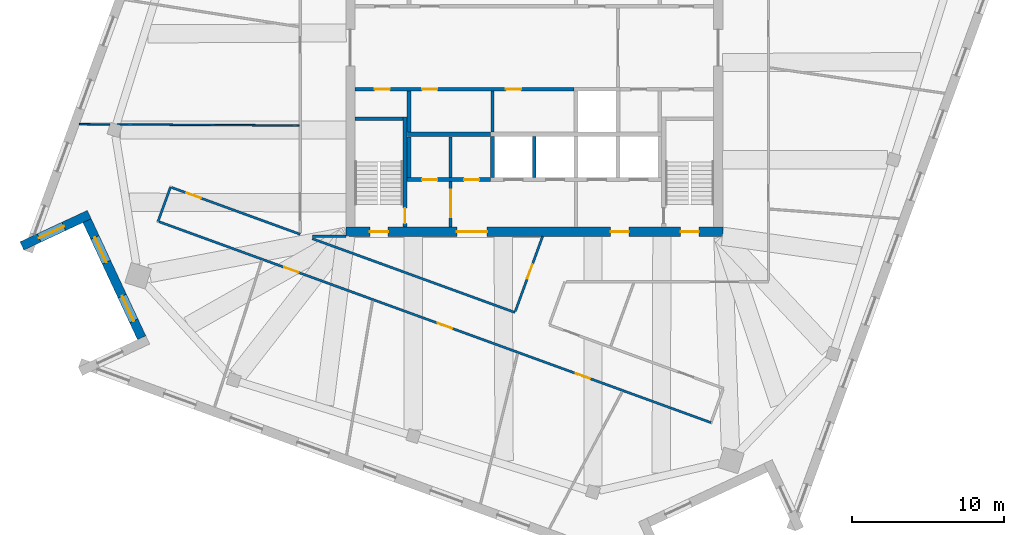
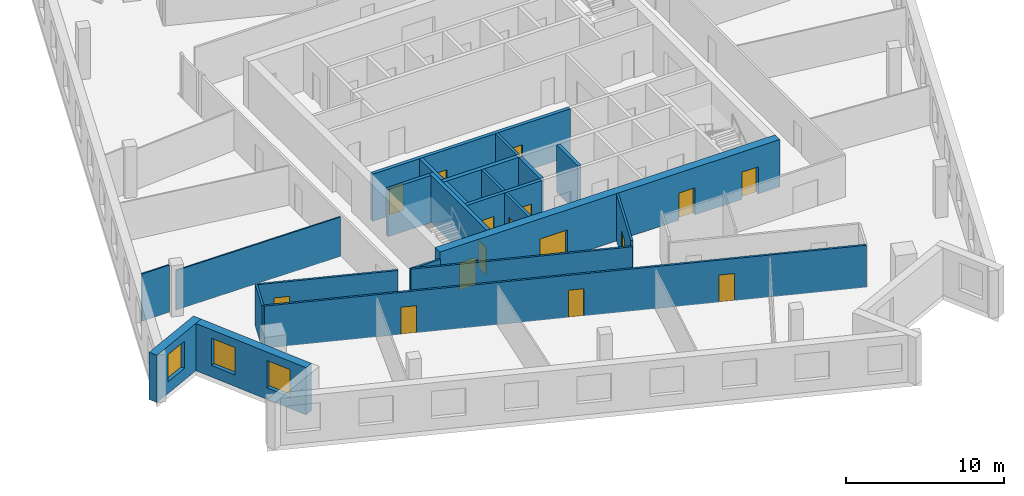
# One storey, part 6 of 13: 23 walls, 16 doors, 3 windows, 19 openings.
"""IFC4 building model written with IfcOpenShell, lengths in metres."""

from ifc_helpers import new_model, si_unit, direction, frame, frame_2d, origin, place, context, subcontext, project, spatial, rectangle, extrude, material, layer, layer_set, type_object, element, fill, save


model = new_model("IFC4")

# Units and contexts
model_context = context("Model", 3, precision=1e-05, world=origin(), true_north=direction((0.0, 1.0)))
body_context = subcontext(model_context, "Body", "Model", "MODEL_VIEW")
ifc_project = project(units=[si_unit("LENGTHUNIT", "METRE"), si_unit("AREAUNIT", "SQUARE_METRE"), si_unit("VOLUMEUNIT", "CUBIC_METRE"), si_unit("PLANEANGLEUNIT", "RADIAN"), si_unit("MASSUNIT", "GRAM", prefix="KILO")], contexts=[model_context])

# Site, building, storey
site_placement = place(None, origin())
site = spatial("IfcSite", under=ifc_project, at=site_placement, CompositionType="ELEMENT")
building_placement = place(site_placement, origin())
building = spatial("IfcBuilding", under=site, at=building_placement, Name="Dilmun Exchange Tower", CompositionType="ELEMENT")
storey_placement = place(building_placement, frame((0.0, 0.0, 312.5)))
storey = spatial("IfcBuildingStorey", under=building, at=storey_placement, Name="L74", CompositionType="ELEMENT", Elevation=312.5)

# Wall, opening, door
ifc_material_1 = material(Name="Concrete C40/50", Category="concrete")
ifc_layer_1 = layer(ifc_material_1, 0.199951171875)
ifc_layer_set_1 = layer_set([ifc_layer_1], Name="Concrete C40/50")
wall_type_1 = type_object("IfcWallType", Name="Core partition wall 200", PredefinedType="PARTITIONING", material=ifc_layer_set_1)
wall_1_placement = place(storey_placement, frame((-5.5, -11.794921875, 0.0), z_axis=(0.0, 0.0, 1.0), x_axis=(0.0, 1.0, 0.0)))
wall_1 = element("IfcWall", 1, at=wall_1_placement, inside=storey, type_object=wall_type_1, Name="L74 core partition wall 01", PredefinedType="PARTITIONING", context=body_context, shape_type="SweptSolid", body=[
    extrude(rectangle(XDim=2.989990234375, YDim=0.199951171875, at=frame_2d((1.4951171875, 0.0))), origin(), (0.0, 0.0, 1.0), 3.64990234375),
])
opening_1_placement = place(wall_1_placement, frame((0.657470703125, 0.0, 0.0)))
opening_1 = element("IfcOpeningElement", 2, at=opening_1_placement, cuts=wall_1, Name="Opening CD5", PredefinedType="OPENING", context=body_context, shape_type="SweptSolid", body=[
    extrude(rectangle(XDim=1.800048828125, YDim=2.10009765625, at=frame_2d((0.89990234375, 1.050048828125))), frame((0.0, 0.10986328125, 0.0), z_axis=(0.0, -1.0, 0.0), x_axis=(1.0, 0.0, 0.0)), (0.0, 0.0, 1.0), 0.219970703125),
])
ifc_material_2 = material(Name="Fire-rated steel door set", Category="steel")
door_type_1 = type_object("IfcDoorType", Name="Stair exit door 1800x2100", OperationType="SINGLE_SWING_LEFT", PredefinedType="DOOR", material=ifc_material_2)
door_1_placement = place(opening_1_placement, origin())
door_1 = element("IfcDoor", 3, at=door_1_placement, inside=storey, type_object=door_type_1, Name="L74 door Service lobby east", OperationType="SINGLE_SWING_LEFT", OverallHeight=2.10009765625, OverallWidth=1.800048828125, PredefinedType="DOOR", context=body_context, shape_type="SweptSolid", body=[
    extrude(rectangle(XDim=1.800048828125, YDim=2.10009765625, at=frame_2d((0.89990234375, 1.050048828125))), frame((0.0, 0.02490234375, 0.0), z_axis=(0.0, -1.0, 0.0), x_axis=(1.0, 0.0, 0.0)), (0.0, 0.0, 1.0), 0.050048828125),
])
fill(opening_1, door_1)

# Walls
for number, where, z_axis, x_axis, name in (
    (4, (-5.5, -8.544921875, 0.0), (0.0, 0.0, 1.0), (0.0, 1.0, 0.0), "L74 core partition wall 05"),
    (5, (-2.75, -5.544921875, 0.0), (0.0, 0.0, 1.0), (0.0, 1.0, 0.0), "L74 core partition wall 08"),
):
    element("IfcWall", number, at=place(storey_placement, frame(where, z_axis=z_axis, x_axis=x_axis)), inside=storey, type_object=wall_type_1, Name=name, PredefinedType="PARTITIONING", context=body_context, shape_type="SweptSolid", body=[
        extrude(rectangle(XDim=2.68994140625, YDim=0.199951171875, at=frame_2d((1.344970703125, 0.0))), origin(), (0.0, 0.0, 1.0), 3.64990234375),
    ])

# Wall, openings, doors
ifc_layer_2 = layer(ifc_material_1, 0.25)
ifc_layer_set_2 = layer_set([ifc_layer_2], Name="Concrete C40/50")
wall_type_2 = type_object("IfcWallType", Name="Core partition wall 250", PredefinedType="PARTITIONING", material=ifc_layer_set_2)
wall_2_placement = place(storey_placement, frame((-8.3701171875, -8.675048828125, 0.0), z_axis=(0.0, 0.0, 1.0), x_axis=(1.0, 0.0, 0.0)))
wall_2 = element("IfcWall", 6, at=wall_2_placement, inside=storey, type_object=wall_type_2, Name="L74 core partition wall 03", PredefinedType="PARTITIONING", context=body_context, shape_type="SweptSolid", body=[
    extrude(rectangle(XDim=5.490234375, YDim=0.25, at=frame_2d((2.7451171875, 0.0))), origin(), (0.0, 0.0, 1.0), 3.64990234375),
])
opening_2_placement = place(wall_2_placement, frame((0.9951171875, 0.0, 0.0)))
opening_2 = element("IfcOpeningElement", 7, at=opening_2_placement, cuts=wall_2, Name="Opening CD4", PredefinedType="OPENING", context=body_context, shape_type="SweptSolid", body=[
    extrude(rectangle(XDim=1.0, YDim=2.10009765625, at=frame_2d((0.5, 1.050048828125))), frame((0.0, 0.135009765625, 0.0), z_axis=(0.0, -1.0, 0.0), x_axis=(1.0, 0.0, 0.0)), (0.0, 0.0, 1.0), 0.27001953125),
])
opening_3_placement = place(wall_2_placement, frame((3.7451171875, 0.0, 0.0)))
opening_3 = element("IfcOpeningElement", 8, at=opening_3_placement, cuts=wall_2, Name="Opening CD4", PredefinedType="OPENING", context=body_context, shape_type="SweptSolid", body=[
    extrude(rectangle(XDim=1.0, YDim=2.10009765625, at=frame_2d((0.5, 1.050048828125))), frame((0.0, 0.135009765625, 0.0), z_axis=(0.0, -1.0, 0.0), x_axis=(1.0, 0.0, 0.0)), (0.0, 0.0, 1.0), 0.27001953125),
])
door_type_2 = type_object("IfcDoorType", Name="Core room door 1000x2100", OperationType="SINGLE_SWING_LEFT", PredefinedType="DOOR", material=ifc_material_2)
door_2_placement = place(opening_2_placement, origin())
door_2 = element("IfcDoor", 9, at=door_2_placement, inside=storey, type_object=door_type_2, Name="L74 door Male WC", OperationType="SINGLE_SWING_LEFT", OverallHeight=2.10009765625, OverallWidth=1.0, PredefinedType="DOOR", context=body_context, shape_type="SweptSolid", body=[
    extrude(rectangle(XDim=1.0, YDim=2.10009765625, at=frame_2d((0.5, 1.050048828125))), frame((0.0, 0.02490234375, 0.0), z_axis=(0.0, -1.0, 0.0), x_axis=(1.0, 0.0, 0.0)), (0.0, 0.0, 1.0), 0.050048828125),
])
fill(opening_2, door_2)
door_3_placement = place(opening_3_placement, origin())
door_3 = element("IfcDoor", 10, at=door_3_placement, inside=storey, type_object=door_type_2, Name="L74 door Female WC", OperationType="SINGLE_SWING_LEFT", OverallHeight=2.10009765625, OverallWidth=1.0, PredefinedType="DOOR", context=body_context, shape_type="SweptSolid", body=[
    extrude(rectangle(XDim=1.0, YDim=2.10009765625, at=frame_2d((0.5, 1.050048828125))), frame((0.0, 0.02490234375, 0.0), z_axis=(0.0, -1.0, 0.0), x_axis=(1.0, 0.0, 0.0)), (0.0, 0.0, 1.0), 0.050048828125),
])
fill(opening_3, door_3)

# Walls
for number, where, z_axis, x_axis, name in (
    (11, (-8.25, -8.544921875, 0.0), (0.0, 0.0, 1.0), (0.0, 1.0, 0.0), "L74 core partition wall 04"),
    (12, (-8.25, -5.544921875, 0.0), (0.0, 0.0, 1.0), (0.0, 1.0, 0.0), "L74 core partition wall 07"),
):
    element("IfcWall", number, at=place(storey_placement, frame(where, z_axis=z_axis, x_axis=x_axis)), inside=storey, type_object=wall_type_2, Name=name, PredefinedType="PARTITIONING", context=body_context, shape_type="SweptSolid", body=[
        extrude(rectangle(XDim=2.68994140625, YDim=0.25, at=frame_2d((1.344970703125, 0.0))), origin(), (0.0, 0.0, 1.0), 3.64990234375),
    ])

# Wall, openings, doors
wall_3_placement = place(storey_placement, frame((-11.794921875, -2.72509765625, 0.0), z_axis=(0.0, 0.0, 1.0), x_axis=(1.0, 0.0, 0.0)))
wall_3 = element("IfcWall", 13, at=wall_3_placement, inside=storey, type_object=wall_type_2, Name="L74 core partition wall 10", PredefinedType="PARTITIONING", context=body_context, shape_type="SweptSolid", body=[
    extrude(rectangle(XDim=14.4150390625, YDim=0.25, at=frame_2d((7.20751953125, 0.0))), origin(), (0.0, 0.0, 1.0), 3.64990234375),
])
opening_4_placement = place(wall_3_placement, frame((1.294921875, 0.0, 0.0)))
opening_4 = element("IfcOpeningElement", 14, at=opening_4_placement, cuts=wall_3, Name="Opening CD4", PredefinedType="OPENING", context=body_context, shape_type="SweptSolid", body=[
    extrude(rectangle(XDim=1.0, YDim=2.10009765625, at=frame_2d((0.5, 1.050048828125))), frame((0.0, 0.135009765625, 0.0), z_axis=(0.0, -1.0, 0.0), x_axis=(1.0, 0.0, 0.0)), (0.0, 0.0, 1.0), 0.27001953125),
])
opening_5_placement = place(wall_3_placement, frame((4.419921875, 0.0, 0.0)))
opening_5 = element("IfcOpeningElement", 15, at=opening_5_placement, cuts=wall_3, Name="Opening CD4", PredefinedType="OPENING", context=body_context, shape_type="SweptSolid", body=[
    extrude(rectangle(XDim=1.0, YDim=2.10009765625, at=frame_2d((0.5, 1.050048828125))), frame((0.0, 0.135009765625, 0.0), z_axis=(0.0, -1.0, 0.0), x_axis=(1.0, 0.0, 0.0)), (0.0, 0.0, 1.0), 0.27001953125),
])
opening_6_placement = place(wall_3_placement, frame((9.919921875, 0.0, 0.0)))
opening_6 = element("IfcOpeningElement", 16, at=opening_6_placement, cuts=wall_3, Name="Opening CD4", PredefinedType="OPENING", context=body_context, shape_type="SweptSolid", body=[
    extrude(rectangle(XDim=1.0, YDim=2.10009765625, at=frame_2d((0.5, 1.050048828125))), frame((0.0, 0.135009765625, 0.0), z_axis=(0.0, -1.0, 0.0), x_axis=(1.0, 0.0, 0.0)), (0.0, 0.0, 1.0), 0.27001953125),
])
door_4_placement = place(opening_4_placement, origin())
door_4 = element("IfcDoor", 17, at=door_4_placement, inside=storey, type_object=door_type_2, Name="L74 door Accessible WC", OperationType="SINGLE_SWING_LEFT", OverallHeight=2.10009765625, OverallWidth=1.0, PredefinedType="DOOR", context=body_context, shape_type="SweptSolid", body=[
    extrude(rectangle(XDim=1.0, YDim=2.10009765625, at=frame_2d((0.5, 1.050048828125))), frame((0.0, 0.02490234375, 0.0), z_axis=(0.0, -1.0, 0.0), x_axis=(1.0, 0.0, 0.0)), (0.0, 0.0, 1.0), 0.050048828125),
])
fill(opening_4, door_4)
door_5_placement = place(opening_5_placement, origin())
door_5 = element("IfcDoor", 18, at=door_5_placement, inside=storey, type_object=door_type_2, Name="L74 door Archive store", OperationType="SINGLE_SWING_LEFT", OverallHeight=2.10009765625, OverallWidth=1.0, PredefinedType="DOOR", context=body_context, shape_type="SweptSolid", body=[
    extrude(rectangle(XDim=1.0, YDim=2.10009765625, at=frame_2d((0.5, 1.050048828125))), frame((0.0, 0.02490234375, 0.0), z_axis=(0.0, -1.0, 0.0), x_axis=(1.0, 0.0, 0.0)), (0.0, 0.0, 1.0), 0.050048828125),
])
fill(opening_5, door_5)
door_6_placement = place(opening_6_placement, origin())
door_6 = element("IfcDoor", 19, at=door_6_placement, inside=storey, type_object=door_type_2, Name="L74 door Switch room", OperationType="SINGLE_SWING_LEFT", OverallHeight=2.10009765625, OverallWidth=1.0, PredefinedType="DOOR", context=body_context, shape_type="SweptSolid", body=[
    extrude(rectangle(XDim=1.0, YDim=2.10009765625, at=frame_2d((0.5, 1.050048828125))), frame((0.0, 0.02490234375, 0.0), z_axis=(0.0, -1.0, 0.0), x_axis=(1.0, 0.0, 0.0)), (0.0, 0.0, 1.0), 0.050048828125),
])
fill(opening_6, door_6)

# Wall
ifc_layer_3 = layer(ifc_material_1, 0.300048828125)
ifc_layer_set_3 = layer_set([ifc_layer_3], Name="Concrete C40/50")
wall_type_3 = type_object("IfcWallType", Name="Core partition wall 300", PredefinedType="PARTITIONING", material=ifc_layer_set_3)
wall_4_placement = place(storey_placement, frame((-8.35009765625, -5.699951171875, 0.0), z_axis=(0.0, 0.0, 1.0), x_axis=(1.0, 0.0, 0.0)))
element("IfcWall", 20, at=wall_4_placement, inside=storey, type_object=wall_type_3, Name="L74 core partition wall 06", PredefinedType="PARTITIONING", context=body_context, shape_type="SweptSolid", body=[
    extrude(rectangle(XDim=5.47021484375, YDim=0.300048828125, at=frame_2d((2.735107421875, 0.0))), origin(), (0.0, 0.0, 1.0), 3.64990234375),
])

# Wall, openings, doors
ifc_material_3 = material(Name="Concrete C50/60", Category="concrete")
ifc_layer_4 = layer(ifc_material_3, 0.60009765625)
ifc_layer_set_4 = layer_set([ifc_layer_4], Name="Concrete C50/60")
wall_type_4 = type_object("IfcWallType", Name="Core shear wall 600 Concrete C50/60", PredefinedType="SHEAR", material=ifc_layer_set_4)
wall_5_placement = place(storey_placement, frame((-12.39990234375, -12.10009765625, 0.0), z_axis=(0.0, 0.0, 1.0), x_axis=(1.0, 0.0, 0.0)))
wall_5 = element("IfcWall", 21, at=wall_5_placement, inside=storey, type_object=wall_type_4, Name="L74 core shear wall S", PredefinedType="SHEAR", context=body_context, shape_type="SweptSolid", body=[
    extrude(rectangle(XDim=24.7998046875, YDim=0.60009765625, at=frame_2d((12.39990234375, 0.0))), origin(), (0.0, 0.0, 1.0), 3.64990234375),
])
opening_7_placement = place(wall_5_placement, frame((7.300048828125, 0.0, 0.0)))
opening_7 = element("IfcOpeningElement", 22, at=opening_7_placement, cuts=wall_5, Name="Opening CD2", PredefinedType="OPENING", context=body_context, shape_type="SweptSolid", body=[
    extrude(rectangle(XDim=2.0, YDim=2.10009765625, at=frame_2d((1.0, 1.050048828125))), frame((0.0, 0.31005859375, 0.0), z_axis=(0.0, -1.0, 0.0), x_axis=(1.0, 0.0, 0.0)), (0.0, 0.0, 1.0), 0.6201171875),
])
opening_8_placement = place(wall_5_placement, frame((17.425048828125, 0.0, 0.0)))
opening_8 = element("IfcOpeningElement", 23, at=opening_8_placement, cuts=wall_5, Name="Opening CD3", PredefinedType="OPENING", context=body_context, shape_type="SweptSolid", body=[
    extrude(rectangle(XDim=1.199951171875, YDim=2.10009765625, at=frame_2d((0.60009765625, 1.050048828125))), frame((0.0, 0.31005859375, 0.0), z_axis=(0.0, -1.0, 0.0), x_axis=(1.0, 0.0, 0.0)), (0.0, 0.0, 1.0), 0.6201171875),
])
opening_9_placement = place(wall_5_placement, frame((1.574951171875, 0.0, 0.0)))
opening_9 = element("IfcOpeningElement", 24, at=opening_9_placement, cuts=wall_5, Name="Opening CD3", PredefinedType="OPENING", context=body_context, shape_type="SweptSolid", body=[
    extrude(rectangle(XDim=1.199951171875, YDim=2.10009765625, at=frame_2d((0.60009765625, 1.050048828125))), frame((0.0, 0.31005859375, 0.0), z_axis=(0.0, -1.0, 0.0), x_axis=(1.0, 0.0, 0.0)), (0.0, 0.0, 1.0), 0.6201171875),
])
opening_10_placement = place(wall_5_placement, frame((22.02490234375, 0.0, 0.0)))
opening_10 = element("IfcOpeningElement", 25, at=opening_10_placement, cuts=wall_5, Name="Opening CD3", PredefinedType="OPENING", context=body_context, shape_type="SweptSolid", body=[
    extrude(rectangle(XDim=1.199951171875, YDim=2.10009765625, at=frame_2d((0.60009765625, 1.050048828125))), frame((0.0, 0.31005859375, 0.0), z_axis=(0.0, -1.0, 0.0), x_axis=(1.0, 0.0, 0.0)), (0.0, 0.0, 1.0), 0.6201171875),
])
door_type_3 = type_object("IfcDoorType", Name="Core service door 2000x2100", OperationType="DOUBLE_DOOR_DOUBLE_SWING", PredefinedType="DOOR", material=ifc_material_2)
door_7_placement = place(opening_7_placement, origin())
door_7 = element("IfcDoor", 26, at=door_7_placement, inside=storey, type_object=door_type_3, Name="L74 door South service lobby", OperationType="SINGLE_SWING_LEFT", OverallHeight=2.10009765625, OverallWidth=2.0, PredefinedType="DOOR", context=body_context, shape_type="SweptSolid", body=[
    extrude(rectangle(XDim=2.0, YDim=2.10009765625, at=frame_2d((1.0, 1.050048828125))), frame((0.0, 0.02490234375, 0.0), z_axis=(0.0, -1.0, 0.0), x_axis=(1.0, 0.0, 0.0)), (0.0, 0.0, 1.0), 0.050048828125),
])
fill(opening_7, door_7)
door_type_4 = type_object("IfcDoorType", Name="Stair exit door 1200x2100", OperationType="SINGLE_SWING_LEFT", PredefinedType="DOOR", material=ifc_material_2)
door_8_placement = place(opening_8_placement, origin())
door_8 = element("IfcDoor", 27, at=door_8_placement, inside=storey, type_object=door_type_4, Name="L74 door Fire-fighting lobby", OperationType="SINGLE_SWING_LEFT", OverallHeight=2.10009765625, OverallWidth=1.199951171875, PredefinedType="DOOR", context=body_context, shape_type="SweptSolid", body=[
    extrude(rectangle(XDim=1.199951171875, YDim=2.10009765625, at=frame_2d((0.60009765625, 1.050048828125))), frame((0.0, 0.02490234375, 0.0), z_axis=(0.0, -1.0, 0.0), x_axis=(1.0, 0.0, 0.0)), (0.0, 0.0, 1.0), 0.050048828125),
])
fill(opening_8, door_8)
door_9_placement = place(opening_9_placement, origin())
door_9 = element("IfcDoor", 28, at=door_9_placement, inside=storey, type_object=door_type_4, Name="L74 door Stair ST2", OperationType="SINGLE_SWING_LEFT", OverallHeight=2.10009765625, OverallWidth=1.199951171875, PredefinedType="DOOR", context=body_context, shape_type="SweptSolid", body=[
    extrude(rectangle(XDim=1.199951171875, YDim=2.10009765625, at=frame_2d((0.60009765625, 1.050048828125))), frame((0.0, 0.02490234375, 0.0), z_axis=(0.0, -1.0, 0.0), x_axis=(1.0, 0.0, 0.0)), (0.0, 0.0, 1.0), 0.050048828125),
])
fill(opening_9, door_9)
door_10_placement = place(opening_10_placement, origin())
door_10 = element("IfcDoor", 29, at=door_10_placement, inside=storey, type_object=door_type_4, Name="L74 door Stair ST3", OperationType="SINGLE_SWING_LEFT", OverallHeight=2.10009765625, OverallWidth=1.199951171875, PredefinedType="DOOR", context=body_context, shape_type="SweptSolid", body=[
    extrude(rectangle(XDim=1.199951171875, YDim=2.10009765625, at=frame_2d((0.60009765625, 1.050048828125))), frame((0.0, 0.02490234375, 0.0), z_axis=(0.0, -1.0, 0.0), x_axis=(1.0, 0.0, 0.0)), (0.0, 0.0, 1.0), 0.050048828125),
])
fill(opening_10, door_10)

# Wall
ifc_material_4 = material(Name="Corridor wall 150")
ifc_layer_5 = layer(ifc_material_4, 0.14990234375)
ifc_layer_set_5 = layer_set([ifc_layer_5], Name="Corridor wall 150")
wall_type_5 = type_object("IfcWallType", Name="Corridor wall 150", PredefinedType="PARTITIONING", material=ifc_layer_set_5)
wall_6_placement = place(storey_placement, frame((-24.75, -11.4189453125, 0.0), z_axis=(0.0, 0.0, 1.0), x_axis=(0.342143298706, 0.939647786753, 0.0)))
element("IfcWall", 30, at=wall_6_placement, inside=storey, type_object=wall_type_5, Name="Corridor wall", PredefinedType="PARTITIONING", context=body_context, shape_type="SweptSolid", body=[
    extrude(rectangle(XDim=2.399658203125, YDim=0.14990234375, at=frame_2d((1.19970703125, 0.0))), origin(), (0.0, 0.0, 1.0), 3.25),
])

# Wall, openings, doors
wall_7_placement = place(storey_placement, frame((-24.679443359375, -11.444580078125, 0.0), z_axis=(0.0, 0.0, 1.0), x_axis=(0.939685239834, -0.342040421645, 0.0)))
wall_7 = element("IfcWall", 31, at=wall_7_placement, inside=storey, type_object=wall_type_5, Name="Corridor wall", PredefinedType="PARTITIONING", context=body_context, shape_type="SweptSolid", body=[
    extrude(rectangle(XDim=38.628173828125, YDim=0.14990234375, at=frame_2d((19.31396484375, 0.0))), origin(), (0.0, 0.0, 1.0), 3.25),
])
opening_11_placement = place(wall_7_placement, frame((8.764404296875, 0.0, 0.0)))
opening_11 = element("IfcOpeningElement", 32, at=opening_11_placement, cuts=wall_7, Name="Opening TF72-D05", PredefinedType="OPENING", context=body_context, shape_type="SweptSolid", body=[
    extrude(rectangle(XDim=1.0, YDim=2.10009765625, at=frame_2d((0.5, 1.050048828125))), frame((0.0, 0.0849609375, 0.0), z_axis=(0.0, -1.0, 0.0), x_axis=(1.0, 0.0, 0.0)), (0.0, 0.0, 1.0), 0.169921875),
])
opening_12_placement = place(wall_7_placement, frame((19.5029296875, 0.0, 0.0)))
opening_12 = element("IfcOpeningElement", 33, at=opening_12_placement, cuts=wall_7, Name="Opening TF72-D08", PredefinedType="OPENING", context=body_context, shape_type="SweptSolid", body=[
    extrude(rectangle(XDim=1.0, YDim=2.10009765625, at=frame_2d((0.5, 1.050048828125))), frame((0.0, 0.0849609375, 0.0), z_axis=(0.0, -1.0, 0.0), x_axis=(1.0, 0.0, 0.0)), (0.0, 0.0, 1.0), 0.169921875),
])
opening_13_placement = place(wall_7_placement, frame((29.162841796875, 0.0, 0.0)))
opening_13 = element("IfcOpeningElement", 34, at=opening_13_placement, cuts=wall_7, Name="Opening TF72-D11", PredefinedType="OPENING", context=body_context, shape_type="SweptSolid", body=[
    extrude(rectangle(XDim=1.0, YDim=2.10009765625, at=frame_2d((0.5, 1.050048828125))), frame((0.0, 0.0849609375, 0.0), z_axis=(0.0, -1.0, 0.0), x_axis=(1.0, 0.0, 0.0)), (0.0, 0.0, 1.0), 0.169921875),
])
ifc_material_5 = material(Name="Fire door 1000 x 2100")
door_type_5 = type_object("IfcDoorType", Name="Fire door 1000 x 2100", OperationType="NOTDEFINED", PredefinedType="DOOR", material=ifc_material_5)
door_11_placement = place(opening_11_placement, frame((1.0, 0.0, 0.0), z_axis=(0.0, 0.0, 1.0), x_axis=(-1.0, 0.0, 0.0)))
door_11 = element("IfcDoor", 35, at=door_11_placement, inside=storey, type_object=door_type_5, Name="Door TF72-D05", OperationType="SINGLE_SWING_LEFT", OverallHeight=2.10009765625, OverallWidth=1.0, PredefinedType="DOOR", context=body_context, shape_type="SweptSolid", body=[
    extrude(rectangle(XDim=1.0, YDim=2.10009765625, at=frame_2d((0.5, 1.050048828125))), frame((0.0, 0.02490234375, 0.0), z_axis=(0.0, -1.0, 0.0), x_axis=(1.0, 0.0, 0.0)), (0.0, 0.0, 1.0), 0.050048828125),
])
fill(opening_11, door_11)
door_12_placement = place(opening_12_placement, frame((1.0, 0.0, 0.0), z_axis=(0.0, 0.0, 1.0), x_axis=(-1.0, 0.0, 0.0)))
door_12 = element("IfcDoor", 36, at=door_12_placement, inside=storey, type_object=door_type_5, Name="Door TF72-D08", OperationType="SINGLE_SWING_LEFT", OverallHeight=2.10009765625, OverallWidth=1.0, PredefinedType="DOOR", context=body_context, shape_type="SweptSolid", body=[
    extrude(rectangle(XDim=1.0, YDim=2.10009765625, at=frame_2d((0.5, 1.050048828125))), frame((0.0, 0.02490234375, 0.0), z_axis=(0.0, -1.0, 0.0), x_axis=(1.0, 0.0, 0.0)), (0.0, 0.0, 1.0), 0.050048828125),
])
fill(opening_12, door_12)
door_13_placement = place(opening_13_placement, frame((1.0, 0.0, 0.0), z_axis=(0.0, 0.0, 1.0), x_axis=(-1.0, 0.0, 0.0)))
door_13 = element("IfcDoor", 37, at=door_13_placement, inside=storey, type_object=door_type_5, Name="Door TF72-D11", OperationType="SINGLE_SWING_RIGHT", OverallHeight=2.10009765625, OverallWidth=1.0, PredefinedType="DOOR", context=body_context, shape_type="SweptSolid", body=[
    extrude(rectangle(XDim=1.0, YDim=2.10009765625, at=frame_2d((0.5, 1.050048828125))), frame((0.0, 0.02490234375, 0.0), z_axis=(0.0, -1.0, 0.0), x_axis=(1.0, 0.0, 0.0)), (0.0, 0.0, 1.0), 0.050048828125),
])
fill(opening_13, door_13)

# Wall, opening, door
wall_8_placement = place(storey_placement, frame((-23.8583984375, -9.189697265625, 0.0), z_axis=(0.0, 0.0, 1.0), x_axis=(0.939702320302, -0.341993492948, 0.0)))
wall_8 = element("IfcWall", 38, at=wall_8_placement, inside=storey, type_object=wall_type_5, Name="Corridor wall", PredefinedType="PARTITIONING", context=body_context, shape_type="SweptSolid", body=[
    extrude(rectangle(XDim=9.001220703125, YDim=0.14990234375, at=frame_2d((4.50048828125, 0.0))), origin(), (0.0, 0.0, 1.0), 3.25),
])
opening_14_placement = place(wall_8_placement, frame((1.050048828125, 0.0, 0.0)))
opening_14 = element("IfcOpeningElement", 39, at=opening_14_placement, cuts=wall_8, Name="Opening TF72-D02", PredefinedType="OPENING", context=body_context, shape_type="SweptSolid", body=[
    extrude(rectangle(XDim=1.0, YDim=2.10009765625, at=frame_2d((0.5, 1.050048828125))), frame((0.0, 0.0849609375, 0.0), z_axis=(0.0, -1.0, 0.0), x_axis=(1.0, 0.0, 0.0)), (0.0, 0.0, 1.0), 0.169921875),
])
door_14_placement = place(opening_14_placement, origin())
door_14 = element("IfcDoor", 40, at=door_14_placement, inside=storey, type_object=door_type_5, Name="Door TF72-D02", OperationType="SINGLE_SWING_LEFT", OverallHeight=2.10009765625, OverallWidth=1.0, PredefinedType="DOOR", context=body_context, shape_type="SweptSolid", body=[
    extrude(rectangle(XDim=1.0, YDim=2.10009765625, at=frame_2d((0.5, 1.050048828125))), frame((0.0, 0.02490234375, 0.0), z_axis=(0.0, -1.0, 0.0), x_axis=(1.0, 0.0, 0.0)), (0.0, 0.0, 1.0), 0.050048828125),
])
fill(opening_14, door_14)

# Walls
wall_9_placement = place(storey_placement, frame((-14.60400390625, -12.55810546875, 0.0), z_axis=(0.0, 0.0, 1.0), x_axis=(0.93968732693, -0.342034687724, 0.0)))
element("IfcWall", 41, at=wall_9_placement, inside=storey, type_object=wall_type_5, Name="Corridor wall", PredefinedType="PARTITIONING", context=body_context, shape_type="SweptSolid", body=[
    extrude(rectangle(XDim=14.182373046875, YDim=0.14990234375, at=frame_2d((7.09130859375, 0.0))), origin(), (0.0, 0.0, 1.0), 3.25),
])
wall_10_placement = place(storey_placement, frame((-14.575927734375, -12.39990234375, 0.0), z_axis=(0.0, 0.0, 1.0), x_axis=(1.0, 0.0, 0.0)))
element("IfcWall", 42, at=wall_10_placement, inside=storey, type_object=wall_type_5, Name="Corridor wall", PredefinedType="PARTITIONING", context=body_context, shape_type="SweptSolid", body=[
    extrude(rectangle(XDim=2.176025390625, YDim=0.14990234375, at=frame_2d((1.087890625, 0.0))), origin(), (0.0, 0.0, 1.0), 3.1298828125),
])

# Wall, opening, door
wall_11_placement = place(storey_placement, frame((-1.251220703125, -17.33837890625, 0.0), z_axis=(0.0, 0.0, 1.0), x_axis=(0.341963126629, 0.939713371207, 0.0)))
wall_11 = element("IfcWall", 43, at=wall_11_placement, inside=storey, type_object=wall_type_5, Name="Corridor wall", PredefinedType="PARTITIONING", context=body_context, shape_type="SweptSolid", body=[
    extrude(rectangle(XDim=5.25537109375, YDim=0.14990234375, at=frame_2d((2.627685546875, 0.0))), origin(), (0.0, 0.0, 1.0), 3.64990234375),
])
opening_15_placement = place(wall_11_placement, frame((2.300048828125, 0.0, 0.0)))
opening_15 = element("IfcOpeningElement", 44, at=opening_15_placement, cuts=wall_11, Name="Opening TF72-D09", PredefinedType="OPENING", context=body_context, shape_type="SweptSolid", body=[
    extrude(rectangle(XDim=1.0, YDim=2.10009765625, at=frame_2d((0.5, 1.050048828125))), frame((0.0, 0.0849609375, 0.0), z_axis=(0.0, -1.0, 0.0), x_axis=(1.0, 0.0, 0.0)), (0.0, 0.0, 1.0), 0.169921875),
])
door_15_placement = place(opening_15_placement, origin())
door_15 = element("IfcDoor", 45, at=door_15_placement, inside=storey, type_object=door_type_5, Name="Door TF72-D09", OperationType="SINGLE_SWING_RIGHT", OverallHeight=2.10009765625, OverallWidth=1.0, PredefinedType="DOOR", context=body_context, shape_type="SweptSolid", body=[
    extrude(rectangle(XDim=1.0, YDim=2.10009765625, at=frame_2d((0.5, 1.050048828125))), frame((0.0, 0.02490234375, 0.0), z_axis=(0.0, -1.0, 0.0), x_axis=(1.0, 0.0, 0.0)), (0.0, 0.0, 1.0), 0.050048828125),
])
fill(opening_15, door_15)

# Walls
ifc_layer_6 = layer(ifc_material_1, 0.25)
ifc_layer_set_6 = layer_set([ifc_layer_6], Name="Concrete C40/50")
wall_type_6 = type_object("IfcWallType", Name="Lift shaft wall 250", PredefinedType="SOLIDWALL", material=ifc_layer_set_6)
for number, where, z_axis, x_axis, name in (
    (46, (-2.75, -8.550048828125, 0.0), (0.0, 0.0, 1.0), (0.0, 1.0, 0.0), "L74 lift shaft divider S22"),
    (47, (0.0, -8.550048828125, 0.0), (0.0, 0.0, 1.0), (0.0, 1.0, 0.0), "L74 lift shaft divider S23"),
):
    element("IfcWall", number, at=place(storey_placement, frame(where, z_axis=z_axis, x_axis=x_axis)), inside=storey, type_object=wall_type_6, Name=name, PredefinedType="SOLIDWALL", context=body_context, shape_type="SweptSolid", body=[
        extrude(rectangle(XDim=2.699951171875, YDim=0.25, at=frame_2d((1.35009765625, 0.0))), origin(), (0.0, 0.0, 1.0), 3.64990234375),
    ])
ifc_material_6 = material(Name="Partition 100")
ifc_layer_7 = layer(ifc_material_6, 0.10009765625)
ifc_layer_set_7 = layer_set([ifc_layer_7], Name="Partition 100")
wall_type_7 = type_object("IfcWallType", Name="Partition 100", PredefinedType="PARTITIONING", material=ifc_layer_set_7)
wall_12_placement = place(storey_placement, frame((-29.922119140625, -5.02783203125, 0.0), z_axis=(0.0, 0.0, 1.0), x_axis=(0.999981545668, -0.006075222027, 0.0)))
element("IfcWall", 48, at=wall_12_placement, inside=storey, type_object=wall_type_7, Name="Partition", PredefinedType="PARTITIONING", context=body_context, shape_type="SweptSolid", body=[
    extrude(rectangle(XDim=2.00927734375, YDim=0.10009765625, at=frame_2d((1.004638671875, 0.0))), origin(), (0.0, 0.0, 1.0), 3.64990234375),
])
wall_13_placement = place(storey_placement, frame((-27.428466796875, -5.04296875, 0.0), z_axis=(0.0, 0.0, 1.0), x_axis=(0.999981601259, -0.006066064861, 0.0)))
element("IfcWall", 49, at=wall_13_placement, inside=storey, type_object=wall_type_7, Name="Partition", PredefinedType="PARTITIONING", context=body_context, shape_type="SweptSolid", body=[
    extrude(rectangle(XDim=11.953369140625, YDim=0.10009765625, at=frame_2d((5.9765625, 0.0))), origin(), (0.0, 0.0, 1.0), 3.050048828125),
])

# Wall, opening, window
ifc_material_7 = material(Name="Precast concrete C50/60", Category="concrete")
ifc_layer_8 = layer(ifc_material_7, 0.60009765625)
ifc_layer_set_8 = layer_set([ifc_layer_8], Name="Precast concrete C50/60")
wall_type_8 = type_object("IfcWallType", Name="Precast stone-clad wall 600", PredefinedType="STANDARD", material=ifc_layer_set_8)
wall_14_placement = place(storey_placement, frame((-33.703369140625, -13.036376953125, 0.0), z_axis=(0.0, 0.0, 1.0), x_axis=(0.906306938878, 0.422620080618, 0.0)))
wall_14 = element("IfcWall", 50, at=wall_14_placement, inside=storey, type_object=wall_type_8, Name="Facade wall L74-04", PredefinedType="STANDARD", context=body_context, shape_type="SweptSolid", body=[
    extrude(rectangle(XDim=4.885498046875, YDim=0.60009765625, at=frame_2d((2.44287109375, 0.0))), origin(), (0.0, 0.0, 1.0), 3.64990234375),
])
opening_16_placement = place(wall_14_placement, frame((1.242919921875, 0.0, 0.89990234375)))
opening_16 = element("IfcOpeningElement", 51, at=opening_16_placement, cuts=wall_14, Name="Opening W180-210", PredefinedType="OPENING", context=body_context, shape_type="SweptSolid", body=[
    extrude(rectangle(XDim=1.800048828125, YDim=2.10009765625, at=frame_2d((0.89990234375, 1.050048828125))), frame((0.0, 0.31005859375, 0.0), z_axis=(0.0, -1.0, 0.0), x_axis=(1.0, 0.0, 0.0)), (0.0, 0.0, 1.0), 0.6201171875),
])
ifc_material_8 = material(Name="Clear low-emissivity glass in aluminium frame", Category="aluminium")
window_type = type_object("IfcWindowType", Name="Punched window 1800 x 2100", PartitioningType="DOUBLE_PANEL_VERTICAL", PredefinedType="WINDOW", material=ifc_material_8)
window_1_placement = place(opening_16_placement, origin())
window_1 = element("IfcWindow", 52, at=window_1_placement, inside=storey, type_object=window_type, Name="Window 5.1", OverallHeight=2.10009765625, OverallWidth=1.800048828125, PartitioningType="SINGLE_PANEL", PredefinedType="WINDOW", context=body_context, shape_type="SweptSolid", body=[
    extrude(rectangle(XDim=1.800048828125, YDim=2.10009765625, at=frame_2d((0.89990234375, 1.050048828125))), frame((0.0, 0.030029296875, 0.0), z_axis=(0.0, -1.0, 0.0), x_axis=(1.0, 0.0, 0.0)), (0.0, 0.0, 1.0), 0.06005859375),
])
fill(opening_16, window_1)

# Wall, openings, windows
wall_15_placement = place(storey_placement, frame((-29.420654296875, -11.370361328125, 0.0), z_axis=(0.0, 0.0, 1.0), x_axis=(0.42259769246, -0.906317378365, 0.0)))
wall_15 = element("IfcWall", 53, at=wall_15_placement, inside=storey, type_object=wall_type_8, Name="Facade wall L74-05", PredefinedType="STANDARD", context=body_context, shape_type="SweptSolid", body=[
    extrude(rectangle(XDim=8.5, YDim=0.60009765625, at=frame_2d((4.25, 0.0))), origin(), (0.0, 0.0, 1.0), 3.64990234375),
])
opening_17_placement = place(wall_15_placement, frame((1.22509765625, 0.0, 0.89990234375)))
opening_17 = element("IfcOpeningElement", 54, at=opening_17_placement, cuts=wall_15, Name="Opening W180-210", PredefinedType="OPENING", context=body_context, shape_type="SweptSolid", body=[
    extrude(rectangle(XDim=1.800048828125, YDim=2.10009765625, at=frame_2d((0.89990234375, 1.050048828125))), frame((0.0, 0.31005859375, 0.0), z_axis=(0.0, -1.0, 0.0), x_axis=(1.0, 0.0, 0.0)), (0.0, 0.0, 1.0), 0.6201171875),
])
opening_18_placement = place(wall_15_placement, frame((5.47509765625, 0.0, 0.89990234375)))
opening_18 = element("IfcOpeningElement", 55, at=opening_18_placement, cuts=wall_15, Name="Opening W180-210", PredefinedType="OPENING", context=body_context, shape_type="SweptSolid", body=[
    extrude(rectangle(XDim=1.800048828125, YDim=2.10009765625, at=frame_2d((0.89990234375, 1.050048828125))), frame((0.0, 0.31005859375, 0.0), z_axis=(0.0, -1.0, 0.0), x_axis=(1.0, 0.0, 0.0)), (0.0, 0.0, 1.0), 0.6201171875),
])
window_2_placement = place(opening_17_placement, origin())
window_2 = element("IfcWindow", 56, at=window_2_placement, inside=storey, type_object=window_type, Name="Window 6.1", OverallHeight=2.10009765625, OverallWidth=1.800048828125, PartitioningType="SINGLE_PANEL", PredefinedType="WINDOW", context=body_context, shape_type="SweptSolid", body=[
    extrude(rectangle(XDim=1.800048828125, YDim=2.10009765625, at=frame_2d((0.89990234375, 1.050048828125))), frame((0.0, 0.030029296875, 0.0), z_axis=(0.0, -1.0, 0.0), x_axis=(1.0, 0.0, 0.0)), (0.0, 0.0, 1.0), 0.06005859375),
])
fill(opening_17, window_2)
window_3_placement = place(opening_18_placement, origin())
window_3 = element("IfcWindow", 57, at=window_3_placement, inside=storey, type_object=window_type, Name="Window 6.2", OverallHeight=2.10009765625, OverallWidth=1.800048828125, PartitioningType="SINGLE_PANEL", PredefinedType="WINDOW", context=body_context, shape_type="SweptSolid", body=[
    extrude(rectangle(XDim=1.800048828125, YDim=2.10009765625, at=frame_2d((0.89990234375, 1.050048828125))), frame((0.0, 0.030029296875, 0.0), z_axis=(0.0, -1.0, 0.0), x_axis=(1.0, 0.0, 0.0)), (0.0, 0.0, 1.0), 0.06005859375),
])
fill(opening_18, window_3)

# Wall
ifc_layer_9 = layer(ifc_material_1, 0.25)
ifc_layer_set_9 = layer_set([ifc_layer_9], Name="Concrete C40/50")
wall_type_9 = type_object("IfcWallType", Name="Stair end wall 250", PredefinedType="SOLIDWALL", material=ifc_layer_set_9)
wall_16_placement = place(storey_placement, frame((-8.64990234375, -4.675048828125, 0.0), z_axis=(0.0, 0.0, 1.0), x_axis=(-1.0, 0.0, 0.0)))
element("IfcWall", 58, at=wall_16_placement, inside=storey, type_object=wall_type_9, Name="L74 ST2 far wall", PredefinedType="SOLIDWALL", context=body_context, shape_type="SweptSolid", body=[
    extrude(rectangle(XDim=3.150146484375, YDim=0.25, at=frame_2d((1.5751953125, 0.0))), origin(), (0.0, 0.0, 1.0), 3.64990234375),
])

# Wall, opening, door
ifc_layer_10 = layer(ifc_material_1, 0.27490234375)
ifc_layer_set_10 = layer_set([ifc_layer_10], Name="Concrete C40/50")
wall_type_10 = type_object("IfcWallType", Name="Stair wall 275", PredefinedType="SOLIDWALL", material=ifc_layer_set_10)
wall_17_placement = place(storey_placement, frame((-8.512451171875, -4.550048828125, 0.0), z_axis=(0.0, 0.0, 1.0), x_axis=(0.0, -1.0, 0.0)))
wall_17 = element("IfcWall", 59, at=wall_17_placement, inside=storey, type_object=wall_type_10, Name="L74 ST2 wall to lift block", PredefinedType="SOLIDWALL", context=body_context, shape_type="SweptSolid", body=[
    extrude(rectangle(XDim=7.25, YDim=0.27490234375, at=frame_2d((3.625, 0.0))), origin(), (0.0, 0.0, 1.0), 3.64990234375),
])
opening_19_placement = place(wall_17_placement, frame((6.0, 0.0, 0.0)))
opening_19 = element("IfcOpeningElement", 60, at=opening_19_placement, cuts=wall_17, Name="Opening CD4", PredefinedType="OPENING", context=body_context, shape_type="SweptSolid", body=[
    extrude(rectangle(XDim=1.0, YDim=2.10009765625, at=frame_2d((0.5, 1.050048828125))), frame((0.0, 0.1474609375, 0.0), z_axis=(0.0, -1.0, 0.0), x_axis=(1.0, 0.0, 0.0)), (0.0, 0.0, 1.0), 0.294921875),
])
door_16_placement = place(opening_19_placement, origin())
door_16 = element("IfcDoor", 61, at=door_16_placement, inside=storey, type_object=door_type_2, Name="L74 door ST2 from lobby", OperationType="SINGLE_SWING_LEFT", OverallHeight=2.10009765625, OverallWidth=1.0, PredefinedType="DOOR", context=body_context, shape_type="SweptSolid", body=[
    extrude(rectangle(XDim=1.0, YDim=2.10009765625, at=frame_2d((0.5, 1.050048828125))), frame((0.0, 0.02490234375, 0.0), z_axis=(0.0, -1.0, 0.0), x_axis=(1.0, 0.0, 0.0)), (0.0, 0.0, 1.0), 0.050048828125),
])
fill(opening_19, door_16)

save(model, "model.ifc")
